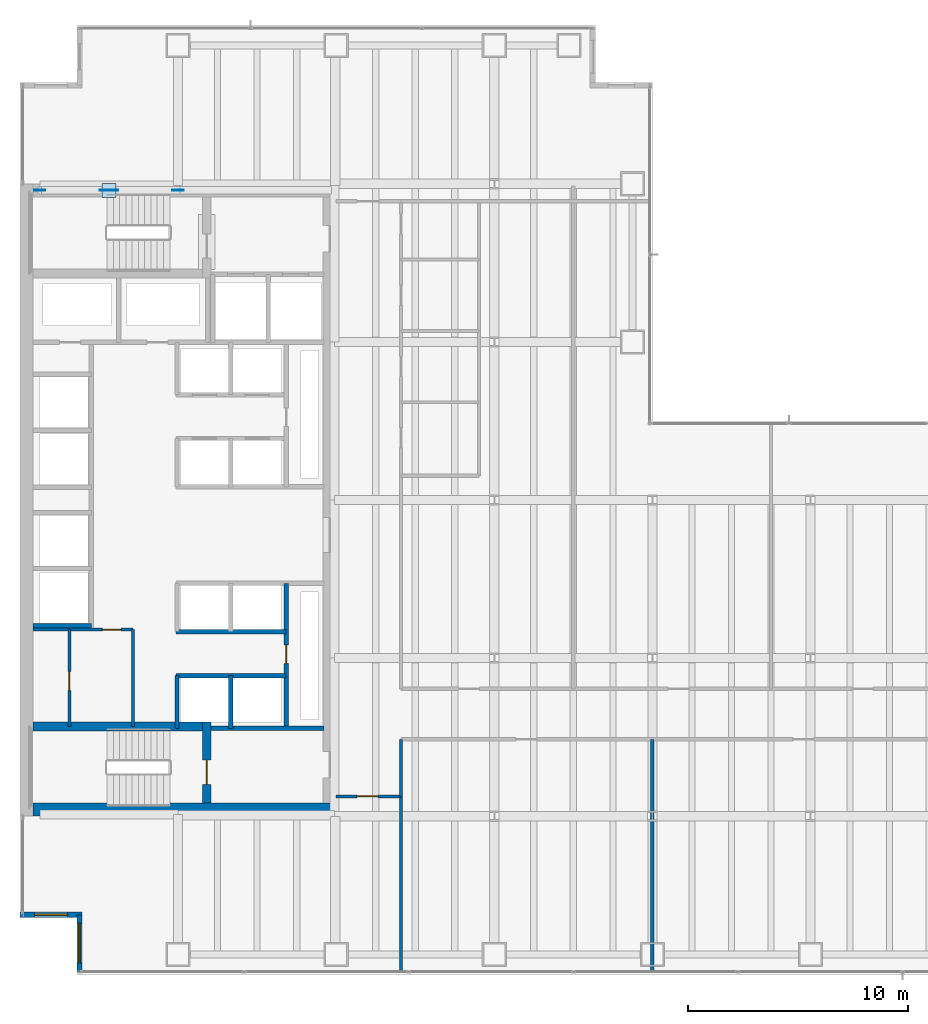
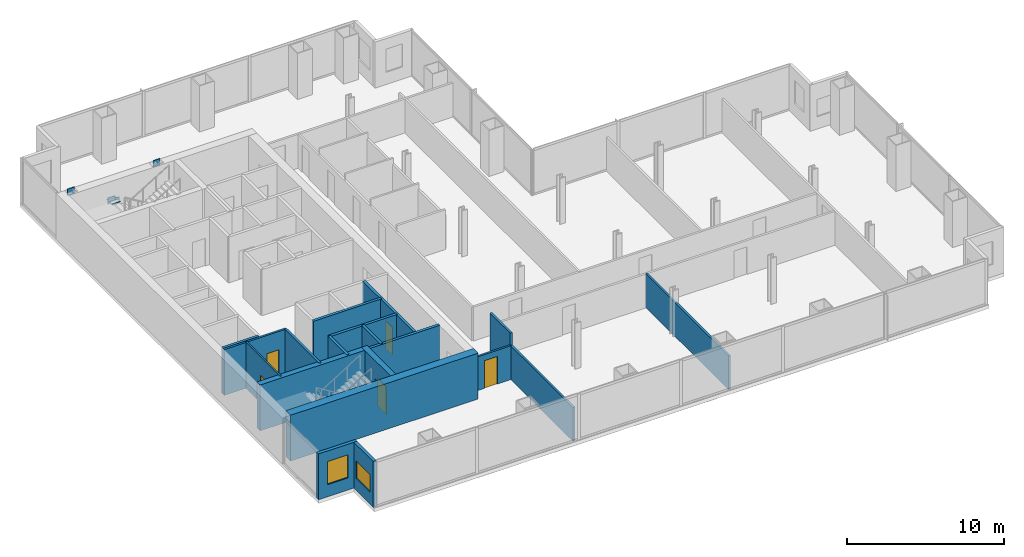
# One storey, part 20 of 25: 19 walls, 5 doors, 5 plates, 2 windows, 7 openings.
"""IFC4 building model written with IfcOpenShell, lengths in metres."""

from ifc_helpers import new_model, si_unit, direction, frame, frame_2d, origin, origin_2d, place, context, subcontext, project, spatial, rectangle, extrude, material, layer, layer_set, type_object, element, fill, save


model = new_model("IFC4")

# Units and contexts
model_context = context("Model", 3, precision=1e-05, world=origin(), true_north=direction((0.0, 1.0)))
body_context = subcontext(model_context, "Body", "Model", "MODEL_VIEW")
ifc_project = project(units=[si_unit("LENGTHUNIT", "METRE"), si_unit("AREAUNIT", "SQUARE_METRE"), si_unit("VOLUMEUNIT", "CUBIC_METRE"), si_unit("PLANEANGLEUNIT", "RADIAN"), si_unit("MASSUNIT", "GRAM", prefix="KILO")], contexts=[model_context])

# Site, building, storey
site_placement = place(None, origin())
site = spatial("IfcSite", under=ifc_project, at=site_placement, CompositionType="ELEMENT")
building_placement = place(site_placement, origin())
building = spatial("IfcBuilding", under=site, at=building_placement, Name="Cobrela Telecom Tower", CompositionType="ELEMENT")
storey_placement = place(building_placement, frame((0.0, 0.0, 35.0)))
storey = spatial("IfcBuildingStorey", under=building, at=storey_placement, Name="L08", CompositionType="ELEMENT", Elevation=35.0)

# Plates
ifc_material_1 = material(Name="Steel ASTM A572 Grade 50", Category="steel")
ifc_layer_1 = layer(ifc_material_1, 0.0419921875)
ifc_layer_set_1 = layer_set([ifc_layer_1], Name="Steel ASTM A572 Grade 50")
plate_type = type_object("IfcPlateType", Name="PLT-NODE-ND1", PredefinedType="USERDEFINED", material=ifc_layer_set_1)
for number, where, z_axis, x_axis, name in (
    (1, (7.199951171875, 35.699951171875, 3.35498046875), (0.0, 0.0, 1.0), (1.0, 0.0, 0.0), "Steel node plate PLT-MBR-EXO-L08-N1-A-1"),
    (2, (4.219482421875, 35.699951171875, 1.431640625), (0.0, 0.0, 1.0), (-1.0, 0.0, 0.0), "Steel node plate PLT-MBR-EXO-L08-N1-B1-1"),
    (3, (3.88037109375, 35.699951171875, 1.62841796875), (0.0, 0.0, 1.0), (-1.0, 0.0, 0.0), "Steel node plate PLT-MBR-EXO-L08-N1-B2-0"),
    (4, (0.89990234375, 35.699951171875, 3.35498046875), (0.0, 0.0, 1.0), (-1.0, 0.0, 0.0), "Steel node plate PLT-MBR-EXO-L08-N1-B2-1"),
):
    element("IfcPlate", number, at=place(storey_placement, frame(where, z_axis=z_axis, x_axis=x_axis)), inside=storey, type_object=plate_type, Name=name, ObjectType="GUSSET PLATE", PredefinedType="USERDEFINED", context=body_context, shape_type="SweptSolid", body=[
        extrude(rectangle(XDim=0.510009765625, YDim=0.044921875, at=origin_2d()), origin(), (0.0, 0.0, 1.0), 0.510009765625),
    ])
plate_placement = place(storey_placement, frame((4.050048828125, 35.699951171875, 1.762451171875), z_axis=(0.0, 0.0, 1.0), x_axis=(1.0, 0.0, 0.0)))
element("IfcPlate", 5, at=plate_placement, inside=storey, type_object=plate_type, Name="L08 Core Flange Steel X-Brace Central X-Crossing Gusset Plate", ObjectType="GUSSET PLATE", PredefinedType="USERDEFINED", context=body_context, shape_type="SweptSolid", body=[
    extrude(rectangle(XDim=0.64990234375, YDim=0.64990234375, at=origin_2d()), origin(), (0.0, 0.0, 1.0), 0.044921875),
])

# Wall
ifc_material_2 = material(Name="Concrete C50/60", Category="concrete")
ifc_layer_2 = layer(ifc_material_2, 0.60009765625)
ifc_layer_set_2 = layer_set([ifc_layer_2], Name="Concrete C50/60")
wall_type_1 = type_object("IfcWallType", Name="WALL-CORE-C50-600", PredefinedType="SHEAR", material=ifc_layer_set_2)
wall_1_placement = place(storey_placement, frame((0.60009765625, 7.5, 0.0), z_axis=(0.0, 0.0, 1.0), x_axis=(1.0, 0.0, 0.0)))
element("IfcWall", 6, at=wall_1_placement, inside=storey, type_object=wall_type_1, Name="L08 South Core Shear Wall", PredefinedType="SHEAR", context=body_context, shape_type="SweptSolid", body=[
    extrude(rectangle(XDim=13.7998046875, YDim=0.60009765625, at=frame_2d((6.89990234375, 0.0))), origin(), (0.0, 0.0, 1.0), 3.570068359375),
])

# Wall, opening, window
ifc_material_3 = material(Name="Concrete C40/50", Category="concrete")
ifc_layer_3 = layer(ifc_material_3, 0.239990234375)
ifc_layer_set_3 = layer_set([ifc_layer_3], Name="Concrete C40/50")
wall_type_2 = type_object("IfcWallType", Name="WALL-EXT-300", PredefinedType="STANDARD", material=ifc_layer_set_3)
wall_2_placement = place(storey_placement, frame((2.7099609375, 0.1201171875, 0.0), z_axis=(0.0, 0.0, 1.0), x_axis=(0.0, 1.0, 0.0)))
wall_2 = element("IfcWall", 7, at=wall_2_placement, inside=storey, type_object=wall_type_2, Name="L08 Insulated Facade Wall 01", PredefinedType="STANDARD", context=body_context, shape_type="SweptSolid", body=[
    extrude(rectangle(XDim=2.58984375, YDim=0.239990234375, at=frame_2d((1.294921875, 0.0))), origin(), (0.0, 0.0, 1.0), 3.570068359375),
])
opening_1_placement = place(wall_2_placement, frame((0.39501953125, 0.0, 0.949951171875)))
opening_1 = element("IfcOpeningElement", 8, at=opening_1_placement, cuts=wall_2, Name="Opening WN-27", PredefinedType="OPENING", context=body_context, shape_type="SweptSolid", body=[
    extrude(rectangle(XDim=1.800048828125, YDim=1.35009765625, at=frame_2d((0.89990234375, 0.675048828125))), frame((0.0, 0.1318359375, 0.0), z_axis=(0.0, -1.0, 0.0), x_axis=(1.0, 0.0, 0.0)), (0.0, 0.0, 1.0), 0.263916015625),
])
ifc_material_4 = material(Name="Solar-Control Bronze Low-E Glass", Category="glass")
window_type_1 = type_object("IfcWindowType", Name="WIN-CLER-1800", PartitioningType="SINGLE_PANEL", PredefinedType="WINDOW", material=ifc_material_4)
window_1_placement = place(opening_1_placement, origin())
window_1 = element("IfcWindow", 9, at=window_1_placement, inside=storey, type_object=window_type_1, Name="L08 Corner Notch Facade Window 030", OverallHeight=1.35009765625, OverallWidth=1.800048828125, PartitioningType="SINGLE_PANEL", PredefinedType="WINDOW", context=body_context, shape_type="SweptSolid", body=[
    extrude(rectangle(XDim=1.800048828125, YDim=1.35009765625, at=frame_2d((0.89990234375, 0.675048828125))), frame((0.0, 0.030029296875, 0.0), z_axis=(0.0, -1.0, 0.0), x_axis=(1.0, 0.0, 0.0)), (0.0, 0.0, 1.0), 0.06005859375),
])
fill(opening_1, window_1)

wall_3_placement = place(storey_placement, frame((2.830078125, 2.7099609375, 0.0), z_axis=(0.0, 0.0, 1.0), x_axis=(-1.0, 0.0, 0.0)))
wall_3 = element("IfcWall", 10, at=wall_3_placement, inside=storey, type_object=wall_type_2, Name="L08 Insulated Facade Wall 02", PredefinedType="STANDARD", context=body_context, shape_type="SweptSolid", body=[
    extrude(rectangle(XDim=2.830078125, YDim=0.239990234375, at=frame_2d((1.4150390625, 0.0))), origin(), (0.0, 0.0, 1.0), 3.570068359375),
])
opening_2_placement = place(wall_3_placement, frame((0.6650390625, 0.0, 0.949951171875)))
opening_2 = element("IfcOpeningElement", 11, at=opening_2_placement, cuts=wall_3, Name="Opening WN-45", PredefinedType="OPENING", context=body_context, shape_type="SweptSolid", body=[
    extrude(rectangle(XDim=1.5, YDim=1.800048828125, at=frame_2d((0.75, 0.89990234375))), frame((0.0, 0.1318359375, 0.0), z_axis=(0.0, -1.0, 0.0), x_axis=(1.0, 0.0, 0.0)), (0.0, 0.0, 1.0), 0.263916015625),
])
window_type_2 = type_object("IfcWindowType", Name="WIN-MOD-1500", PartitioningType="SINGLE_PANEL", PredefinedType="WINDOW", material=ifc_material_4)
window_2_placement = place(opening_2_placement, origin())
window_2 = element("IfcWindow", 12, at=window_2_placement, inside=storey, type_object=window_type_2, Name="L08 Corner Notch Facade Window 031", OverallHeight=1.800048828125, OverallWidth=1.5, PartitioningType="SINGLE_PANEL", PredefinedType="WINDOW", context=body_context, shape_type="SweptSolid", body=[
    extrude(rectangle(XDim=1.5, YDim=1.800048828125, at=frame_2d((0.75, 0.89990234375))), frame((0.0, 0.030029296875, 0.0), z_axis=(0.0, -1.0, 0.0), x_axis=(1.0, 0.0, 0.0)), (0.0, 0.0, 1.0), 0.06005859375),
])
fill(opening_2, window_2)

# Wall, opening, door
ifc_material_5 = material(Name="Fire-Rated Gypsum Plasterboard")
ifc_layer_4 = layer(ifc_material_5, 0.125)
ifc_layer_set_4 = layer_set([ifc_layer_4], Name="Fire-Rated Gypsum Plasterboard")
wall_type_3 = type_object("IfcWallType", Name="WALL-PART-125", PredefinedType="PARTITIONING", material=ifc_layer_set_4)
wall_4_placement = place(storey_placement, frame((2.25, 11.280029296875, 0.0), z_axis=(0.0, 0.0, 1.0), x_axis=(0.0, 1.0, 0.0)))
wall_4 = element("IfcWall", 13, at=wall_4_placement, inside=storey, type_object=wall_type_3, Name="L08 Interior Partition CW-FK0-V", PredefinedType="PARTITIONING", context=body_context, shape_type="SweptSolid", body=[
    extrude(rectangle(XDim=4.419921875, YDim=0.125, at=frame_2d((2.2099609375, 0.0))), origin(), (0.0, 0.0, 1.0), 3.570068359375),
])
opening_3_placement = place(wall_4_placement, frame((1.64990234375, 0.0, 0.0)))
opening_3 = element("IfcOpeningElement", 14, at=opening_3_placement, cuts=wall_4, Name="Opening DR-11", PredefinedType="OPENING", context=body_context, shape_type="SweptSolid", body=[
    extrude(rectangle(XDim=0.85009765625, YDim=2.14990234375, at=frame_2d((0.425048828125, 1.074951171875))), frame((0.0, 0.074462890625, 0.0), z_axis=(0.0, -1.0, 0.0), x_axis=(1.0, 0.0, 0.0)), (0.0, 0.0, 1.0), 0.14892578125),
])
ifc_material_6 = material(Name="Solid Engineered Oak Timber", Category="wood")
door_type_1 = type_object("IfcDoorType", Name="DOOR-INT-850", OperationType="SINGLE_SWING_LEFT", PredefinedType="DOOR", material=ifc_material_6)
door_1_placement = place(opening_3_placement, origin())
door_1 = element("IfcDoor", 15, at=door_1_placement, inside=storey, type_object=door_type_1, Name="L08 Door DR-11", OperationType="SINGLE_SWING_LEFT", OverallHeight=2.14990234375, OverallWidth=0.85009765625, PredefinedType="DOOR", context=body_context, shape_type="SweptSolid", body=[
    extrude(rectangle(XDim=0.85009765625, YDim=2.14990234375, at=frame_2d((0.425048828125, 1.074951171875))), frame((0.0, 0.02490234375, 0.0), z_axis=(0.0, -1.0, 0.0), x_axis=(1.0, 0.0, 0.0)), (0.0, 0.0, 1.0), 0.050048828125),
])
fill(opening_3, door_1)

ifc_layer_5 = layer(ifc_material_5, 0.14990234375)
ifc_layer_set_5 = layer_set([ifc_layer_5], Name="Fire-Rated Gypsum Plasterboard")
wall_type_4 = type_object("IfcWallType", Name="WALL-PART-150", PredefinedType="PARTITIONING", material=ifc_layer_set_5)
wall_5_placement = place(storey_placement, frame((0.60009765625, 15.699951171875, 0.0), z_axis=(0.0, 0.0, 1.0), x_axis=(1.0, 0.0, 0.0)))
wall_5 = element("IfcWall", 16, at=wall_5_placement, inside=storey, type_object=wall_type_4, Name="L08 Interior Partition CW-FLEX-N", PredefinedType="PARTITIONING", context=body_context, shape_type="SweptSolid", body=[
    extrude(rectangle(XDim=4.5498046875, YDim=0.14990234375, at=frame_2d((2.27490234375, 0.0))), origin(), (0.0, 0.0, 1.0), 3.570068359375),
])
opening_4_placement = place(wall_5_placement, frame((3.14990234375, 0.0, 0.0)))
opening_4 = element("IfcOpeningElement", 17, at=opening_4_placement, cuts=wall_5, Name="Opening DR-11", PredefinedType="OPENING", context=body_context, shape_type="SweptSolid", body=[
    extrude(rectangle(XDim=0.85009765625, YDim=2.14990234375, at=frame_2d((0.425048828125, 1.074951171875))), frame((0.0, 0.0869140625, 0.0), z_axis=(0.0, -1.0, 0.0), x_axis=(1.0, 0.0, 0.0)), (0.0, 0.0, 1.0), 0.173828125),
])
door_2_placement = place(opening_4_placement, origin())
door_2 = element("IfcDoor", 18, at=door_2_placement, inside=storey, type_object=door_type_1, Name="L08 Door DR-11", OperationType="SINGLE_SWING_RIGHT", OverallHeight=2.14990234375, OverallWidth=0.85009765625, PredefinedType="DOOR", context=body_context, shape_type="SweptSolid", body=[
    extrude(rectangle(XDim=0.85009765625, YDim=2.14990234375, at=frame_2d((0.425048828125, 1.074951171875))), frame((0.0, 0.02490234375, 0.0), z_axis=(0.0, -1.0, 0.0), x_axis=(1.0, 0.0, 0.0)), (0.0, 0.0, 1.0), 0.050048828125),
])
fill(opening_4, door_2)

# Wall
wall_6_placement = place(storey_placement, frame((5.14990234375, 11.280029296875, 0.0), z_axis=(0.0, 0.0, 1.0), x_axis=(0.0, 1.0, 0.0)))
element("IfcWall", 19, at=wall_6_placement, inside=storey, type_object=wall_type_4, Name="L08 Interior Partition CW-FLEX-E", PredefinedType="PARTITIONING", context=body_context, shape_type="SweptSolid", body=[
    extrude(rectangle(XDim=4.419921875, YDim=0.14990234375, at=frame_2d((2.2099609375, 0.0))), origin(), (0.0, 0.0, 1.0), 3.570068359375),
])

# Wall, opening, door
wall_7_placement = place(storey_placement, frame((14.39990234375, 8.10009765625, 0.0), z_axis=(0.0, 0.0, 1.0), x_axis=(1.0, 0.0, 0.0)))
wall_7 = element("IfcWall", 20, at=wall_7_placement, inside=storey, type_object=wall_type_4, Name="L08 Interior Partition W-C-S0", PredefinedType="PARTITIONING", context=body_context, shape_type="SweptSolid", body=[
    extrude(rectangle(XDim=2.9501953125, YDim=0.14990234375, at=frame_2d((1.47509765625, 0.0))), origin(), (0.0, 0.0, 1.0), 2.6279296875),
])
opening_5_placement = place(wall_7_placement, frame((0.949951171875, 0.0, 0.0)))
opening_5 = element("IfcOpeningElement", 21, at=opening_5_placement, cuts=wall_7, Name="Opening DR-67", PredefinedType="OPENING", context=body_context, shape_type="SweptSolid", body=[
    extrude(rectangle(XDim=0.949951171875, YDim=2.14990234375, at=frame_2d((0.47509765625, 1.074951171875))), frame((0.0, 0.0869140625, 0.0), z_axis=(0.0, -1.0, 0.0), x_axis=(1.0, 0.0, 0.0)), (0.0, 0.0, 1.0), 0.173828125),
])
door_type_2 = type_object("IfcDoorType", Name="DOOR-INT-950", OperationType="SINGLE_SWING_LEFT", PredefinedType="DOOR", material=ifc_material_6)
door_3_placement = place(opening_5_placement, origin())
door_3 = element("IfcDoor", 22, at=door_3_placement, inside=storey, type_object=door_type_2, Name="L08 Door DR-67", OperationType="SINGLE_SWING_RIGHT", OverallHeight=2.14990234375, OverallWidth=0.949951171875, PredefinedType="DOOR", context=body_context, shape_type="SweptSolid", body=[
    extrude(rectangle(XDim=0.949951171875, YDim=2.14990234375, at=frame_2d((0.47509765625, 1.074951171875))), frame((0.0, 0.02490234375, 0.0), z_axis=(0.0, -1.0, 0.0), x_axis=(1.0, 0.0, 0.0)), (0.0, 0.0, 1.0), 0.050048828125),
])
fill(opening_5, door_3)

# Walls
wall_8_placement = place(storey_placement, frame((17.35009765625, 8.10009765625, 0.0), z_axis=(0.0, 0.0, 1.0), x_axis=(0.0, 1.0, 0.0)))
element("IfcWall", 23, at=wall_8_placement, inside=storey, type_object=wall_type_4, Name="L08 Interior Partition W-C-E1", PredefinedType="PARTITIONING", context=body_context, shape_type="SweptSolid", body=[
    extrude(rectangle(XDim=2.599853515625, YDim=0.14990234375, at=frame_2d((1.2998046875, 0.0))), origin(), (0.0, 0.0, 1.0), 3.570068359375),
])
wall_9_placement = place(storey_placement, frame((17.35009765625, 0.1201171875, 0.0), z_axis=(0.0, 0.0, 1.0), x_axis=(0.0, 1.0, 0.0)))
element("IfcWall", 24, at=wall_9_placement, inside=storey, type_object=wall_type_4, Name="L08 Interior Partition W-SW-E", PredefinedType="PARTITIONING", context=body_context, shape_type="SweptSolid", body=[
    extrude(rectangle(XDim=7.97998046875, YDim=0.14990234375, at=frame_2d((3.989990234375, 0.0))), origin(), (0.0, 0.0, 1.0), 2.6279296875),
])
wall_10_placement = place(storey_placement, frame((28.800048828125, 0.1201171875, 0.0), z_axis=(0.0, 0.0, 1.0), x_axis=(0.0, 1.0, 0.0)))
element("IfcWall", 25, at=wall_10_placement, inside=storey, type_object=wall_type_4, Name="L08 Interior Partition W-SV-1", PredefinedType="PARTITIONING", context=body_context, shape_type="SweptSolid", body=[
    extrude(rectangle(XDim=10.579833984375, YDim=0.14990234375, at=frame_2d((5.2900390625, 0.0))), origin(), (0.0, 0.0, 1.0), 2.6279296875),
])
ifc_layer_6 = layer(ifc_material_5, 0.199951171875)
ifc_layer_set_6 = layer_set([ifc_layer_6], Name="Fire-Rated Gypsum Plasterboard")
wall_type_5 = type_object("IfcWallType", Name="WALL-SHAFT-200", PredefinedType="PARTITIONING", material=ifc_layer_set_6)
wall_11_placement = place(storey_placement, frame((8.699951171875, 11.199951171875, 0.0), z_axis=(0.0, 0.0, 1.0), x_axis=(1.0, 0.0, 0.0)))
element("IfcWall", 26, at=wall_11_placement, inside=storey, type_object=wall_type_5, Name="L08 Shaft Enclosure CW-ST2L-N", PredefinedType="PARTITIONING", context=body_context, shape_type="SweptSolid", body=[
    extrude(rectangle(XDim=5.150146484375, YDim=0.199951171875, at=frame_2d((2.5751953125, 0.0))), origin(), (0.0, 0.0, 1.0), 3.570068359375),
])
wall_12_placement = place(storey_placement, frame((0.60009765625, 15.8798828125, 0.0), z_axis=(0.0, 0.0, 1.0), x_axis=(1.0, 0.0, 0.0)))
element("IfcWall", 27, at=wall_12_placement, inside=storey, type_object=wall_type_5, Name="L08 Shaft Enclosure CW-PLH-D9", PredefinedType="PARTITIONING", context=body_context, shape_type="SweptSolid", body=[
    extrude(rectangle(XDim=2.64990234375, YDim=0.199951171875, at=frame_2d((1.324951171875, 0.0))), origin(), (0.0, 0.0, 1.0), 3.570068359375),
])
for number, where, z_axis, x_axis, name in (
    (28, (7.10009765625, 15.60009765625, 0.0), (0.0, 0.0, 1.0), (1.0, 0.0, 0.0), "L08 Shaft Enclosure CW-PLM-N"),
    (29, (7.10009765625, 13.60009765625, 0.0), (0.0, 0.0, 1.0), (1.0, 0.0, 0.0), "L08 Shaft Enclosure CW-PLM-S"),
):
    element("IfcWall", number, at=place(storey_placement, frame(where, z_axis=z_axis, x_axis=x_axis)), inside=storey, type_object=wall_type_5, Name=name, PredefinedType="PARTITIONING", context=body_context, shape_type="SweptSolid", body=[
        extrude(rectangle(XDim=5.02001953125, YDim=0.199951171875, at=frame_2d((2.510009765625, 0.0))), origin(), (0.0, 0.0, 1.0), 3.570068359375),
    ])
for number, where, z_axis, x_axis, name in (
    (30, (7.14990234375, 11.199951171875, 0.0), (0.0, 0.0, 1.0), (0.0, 1.0, 0.0), "L08 Shaft Enclosure CW-PLM-V1B"),
    (31, (9.60009765625, 11.199951171875, 0.0), (0.0, 0.0, 1.0), (0.0, 1.0, 0.0), "L08 Shaft Enclosure CW-PLM-V2B"),
):
    element("IfcWall", number, at=place(storey_placement, frame(where, z_axis=z_axis, x_axis=x_axis)), inside=storey, type_object=wall_type_5, Name=name, PredefinedType="PARTITIONING", context=body_context, shape_type="SweptSolid", body=[
        extrude(rectangle(XDim=2.400146484375, YDim=0.199951171875, at=frame_2d((1.2001953125, 0.0))), origin(), (0.0, 0.0, 1.0), 3.570068359375),
    ])

# Wall, opening, door
wall_13_placement = place(storey_placement, frame((12.1201171875, 11.199951171875, 0.0), z_axis=(0.0, 0.0, 1.0), x_axis=(0.0, 1.0, 0.0)))
wall_13 = element("IfcWall", 32, at=wall_13_placement, inside=storey, type_object=wall_type_5, Name="L08 Shaft Enclosure CW-PLM-V3", PredefinedType="PARTITIONING", context=body_context, shape_type="SweptSolid", body=[
    extrude(rectangle(XDim=6.60009765625, YDim=0.199951171875, at=frame_2d((3.300048828125, 0.0))), origin(), (0.0, 0.0, 1.0), 3.570068359375),
])
opening_6_placement = place(wall_13_placement, frame((2.949951171875, 0.0, 0.0)))
opening_6 = element("IfcOpeningElement", 33, at=opening_6_placement, cuts=wall_13, Name="Opening DR-11", PredefinedType="OPENING", context=body_context, shape_type="SweptSolid", body=[
    extrude(rectangle(XDim=0.85009765625, YDim=2.14990234375, at=frame_2d((0.425048828125, 1.074951171875))), frame((0.0, 0.11181640625, 0.0), z_axis=(0.0, -1.0, 0.0), x_axis=(1.0, 0.0, 0.0)), (0.0, 0.0, 1.0), 0.223876953125),
])
door_4_placement = place(opening_6_placement, origin())
door_4 = element("IfcDoor", 34, at=door_4_placement, inside=storey, type_object=door_type_1, Name="L08 Door DR-11", OperationType="SINGLE_SWING_RIGHT", OverallHeight=2.14990234375, OverallWidth=0.85009765625, PredefinedType="DOOR", context=body_context, shape_type="SweptSolid", body=[
    extrude(rectangle(XDim=0.85009765625, YDim=2.14990234375, at=frame_2d((0.425048828125, 1.074951171875))), frame((0.0, 0.02490234375, 0.0), z_axis=(0.0, -1.0, 0.0), x_axis=(1.0, 0.0, 0.0)), (0.0, 0.0, 1.0), 0.050048828125),
])
fill(opening_6, door_4)

# Wall
ifc_layer_7 = layer(ifc_material_3, 0.39990234375)
ifc_layer_set_7 = layer_set([ifc_layer_7], Name="Concrete C40/50")
wall_type_6 = type_object("IfcWallType", Name="WALL-SHAFT-C40-400", PredefinedType="SHEAR", material=ifc_layer_set_7)
wall_14_placement = place(storey_placement, frame((0.60009765625, 11.280029296875, 0.0), z_axis=(0.0, 0.0, 1.0), x_axis=(1.0, 0.0, 0.0)))
element("IfcWall", 35, at=wall_14_placement, inside=storey, type_object=wall_type_6, Name="L08 South Stair Shear Wall", PredefinedType="SHEAR", context=body_context, shape_type="SweptSolid", body=[
    extrude(rectangle(XDim=7.699951171875, YDim=0.39990234375, at=frame_2d((3.85009765625, 0.0))), origin(), (0.0, 0.0, 1.0), 3.570068359375),
])

# Wall, opening, door
wall_15_placement = place(storey_placement, frame((8.5, 7.800048828125, 0.0), z_axis=(0.0, 0.0, 1.0), x_axis=(0.0, 1.0, 0.0)))
wall_15 = element("IfcWall", 36, at=wall_15_placement, inside=storey, type_object=wall_type_6, Name="L08 South Stair Lobby Shear Wall", PredefinedType="SHEAR", context=body_context, shape_type="SweptSolid", body=[
    extrude(rectangle(XDim=3.679931640625, YDim=0.39990234375, at=frame_2d((1.83984375, 0.0))), origin(), (0.0, 0.0, 1.0), 3.570068359375),
])
opening_7_placement = place(wall_15_placement, frame((0.85009765625, 0.0, 0.0)))
opening_7 = element("IfcOpeningElement", 37, at=opening_7_placement, cuts=wall_15, Name="Opening FD-90", PredefinedType="OPENING", context=body_context, shape_type="SweptSolid", body=[
    extrude(rectangle(XDim=1.10009765625, YDim=2.14990234375, at=frame_2d((0.550048828125, 1.074951171875))), frame((0.0, 0.2119140625, 0.0), z_axis=(0.0, -1.0, 0.0), x_axis=(1.0, 0.0, 0.0)), (0.0, 0.0, 1.0), 0.423828125),
])
ifc_material_7 = material(Name="Steel ASTM A36", Category="steel")
door_type_3 = type_object("IfcDoorType", Name="DOOR-FD90-1100", OperationType="SINGLE_SWING_LEFT", PredefinedType="DOOR", material=ifc_material_7)
door_5_placement = place(opening_7_placement, origin())
door_5 = element("IfcDoor", 38, at=door_5_placement, inside=storey, type_object=door_type_3, Name="L08 Door FD-90", OperationType="SINGLE_SWING_LEFT", OverallHeight=2.14990234375, OverallWidth=1.10009765625, PredefinedType="DOOR", context=body_context, shape_type="SweptSolid", body=[
    extrude(rectangle(XDim=1.10009765625, YDim=2.14990234375, at=frame_2d((0.550048828125, 1.074951171875))), frame((0.0, 0.02490234375, 0.0), z_axis=(0.0, -1.0, 0.0), x_axis=(1.0, 0.0, 0.0)), (0.0, 0.0, 1.0), 0.050048828125),
])
fill(opening_7, door_5)

save(model, "model.ifc")
